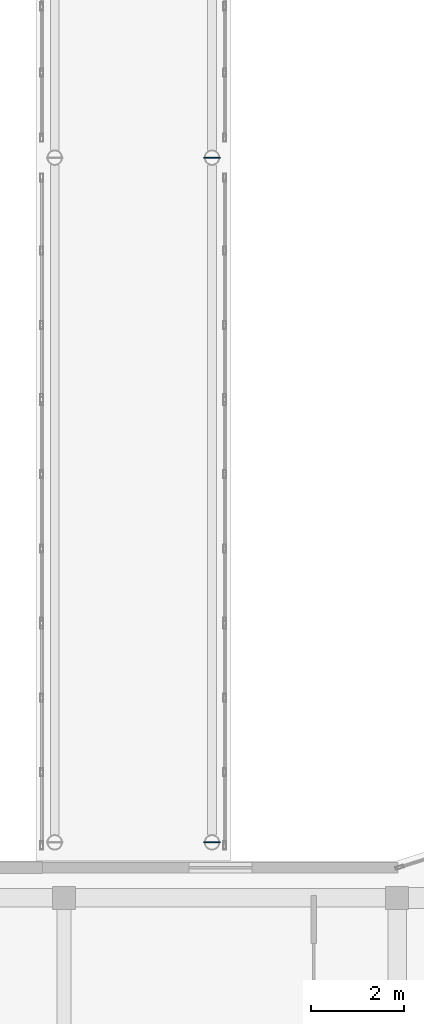
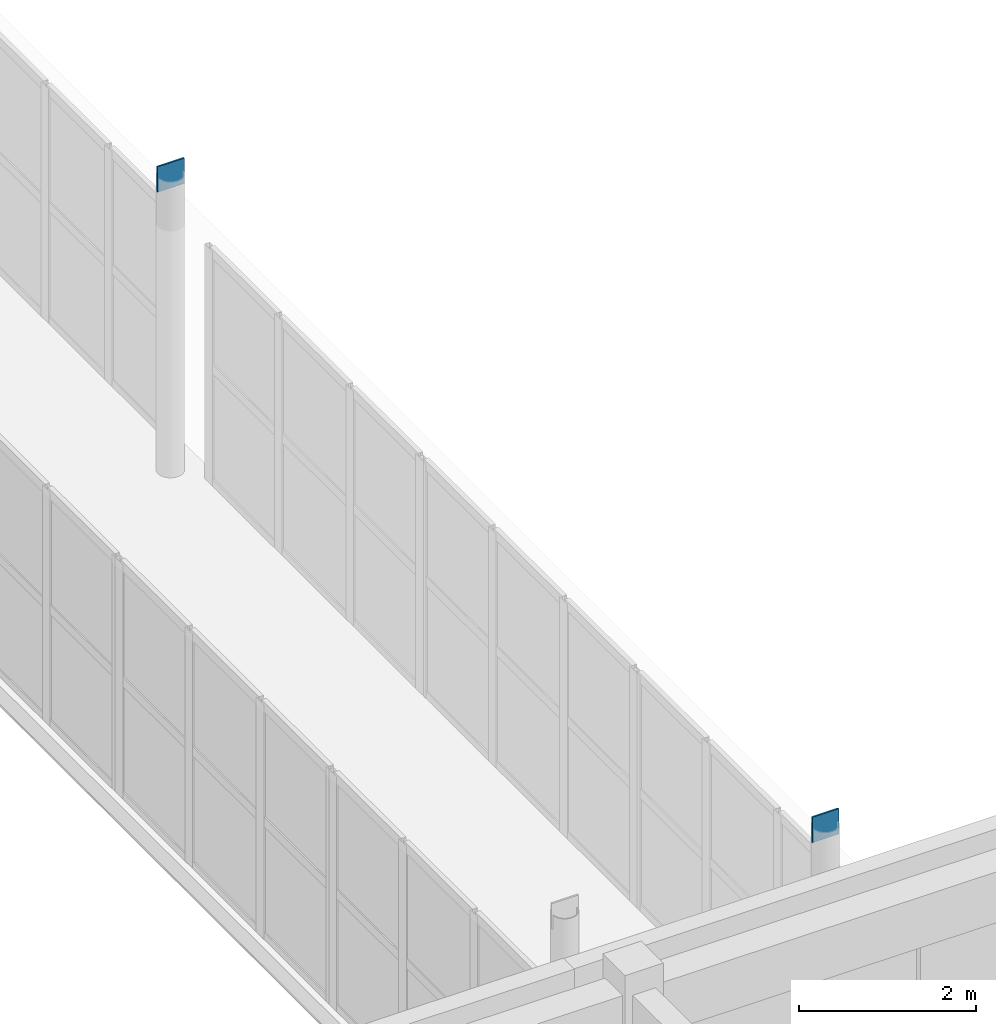
# One storey, part 44 of 52: 2 plates.
"""IFC4 building model written with IfcOpenShell, lengths in metres."""

from ifc_helpers import new_model, si_unit, direction, frame, origin, origin_2d, place, context, subcontext, project, spatial, rectangle, extrude, material, layer, layer_set, type_object, element, save


model = new_model("IFC4")

# Units and contexts
model_context = context("Model", 3, precision=1e-05, world=origin(), true_north=direction((0.0, 1.0)))
body_context = subcontext(model_context, "Body", "Model", "MODEL_VIEW")
ifc_project = project(units=[si_unit("LENGTHUNIT", "METRE"), si_unit("AREAUNIT", "SQUARE_METRE"), si_unit("VOLUMEUNIT", "CUBIC_METRE"), si_unit("PLANEANGLEUNIT", "RADIAN"), si_unit("MASSUNIT", "GRAM", prefix="KILO")], contexts=[model_context])

# Site, building, storey
site_placement = place(None, origin())
site = spatial("IfcSite", under=ifc_project, at=site_placement, CompositionType="ELEMENT")
building_placement = place(site_placement, origin())
building = spatial("IfcBuilding", under=site, at=building_placement, Name="Valcora Specialist Clinic", CompositionType="ELEMENT")
storey_placement = place(building_placement, frame((0.0, 0.0, 17.679931640625)))
storey = spatial("IfcBuildingStorey", under=building, at=storey_placement, Name="L04", CompositionType="ELEMENT", Elevation=17.679931640625)

# Plates
ifc_material = material(Name="Steel ASTM A572 Grade 50", Category="steel")
ifc_layer = layer(ifc_material, 0.02197265625)
ifc_layer_set = layer_set([ifc_layer], Name="Steel ASTM A572 Grade 50")
plate_type = type_object("IfcPlateType", Name="TY-PL-EC324", PredefinedType="USERDEFINED", material=ifc_layer_set)
for number, where, z_axis, x_axis, name in (
    (1, (65.0, 23.199951171875, 3.89404296875), (0.0, 0.0, 1.0), (1.0, 0.0, 0.0), "Column end-cap plate COL-L04-0988"),
    (2, (65.0, 38.0, 3.89404296875), (0.0, 0.0, 1.0), (1.0, 0.0, 0.0), "Column end-cap plate COL-L04-0994"),
):
    element("IfcPlate", number, at=place(storey_placement, frame(where, z_axis=z_axis, x_axis=x_axis)), inside=storey, type_object=plate_type, Name=name, ObjectType="FLANGE_PLATE", PredefinedType="USERDEFINED", context=body_context, shape_type="SweptSolid", body=[
        extrude(rectangle(XDim=0.35009765625, YDim=0.02197265625, at=origin_2d()), origin(), (0.0, 0.0, 1.0), 0.35009765625),
    ])

save(model, "model.ifc")
